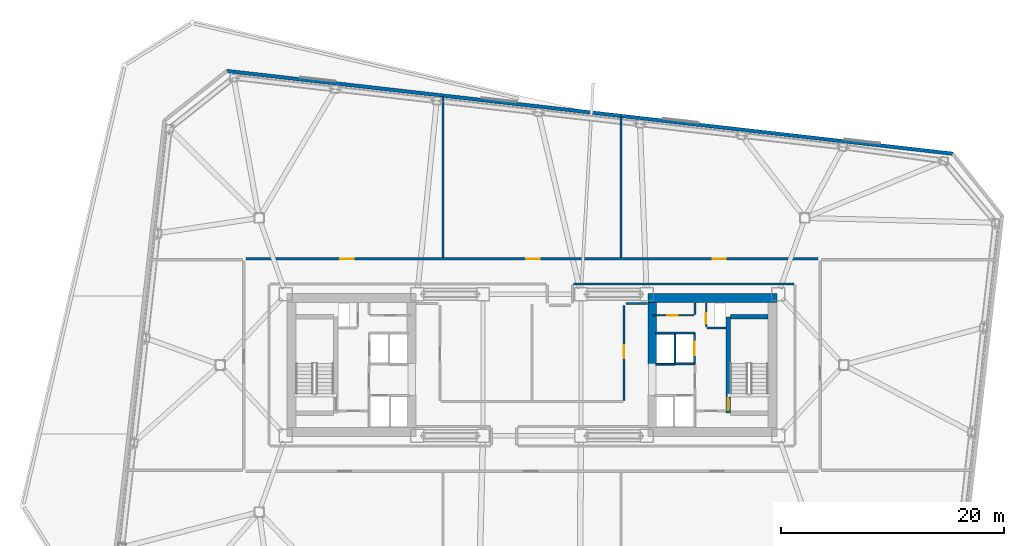
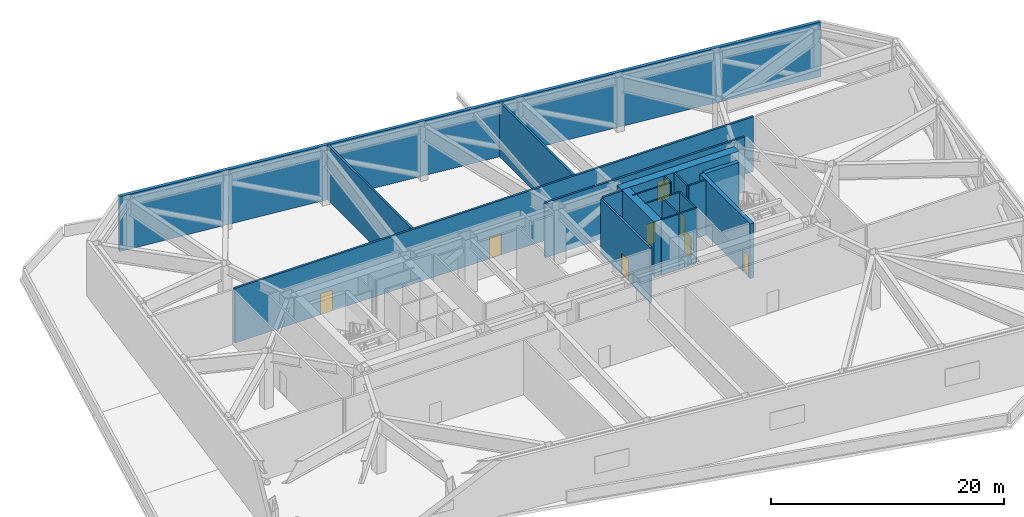
# One storey, part 6 of 14: 21 walls, 8 doors, 8 openings.
"""IFC4 building model written with IfcOpenShell, lengths in metres."""

from ifc_helpers import new_model, si_unit, direction, frame, frame_2d, origin, place, context, subcontext, project, spatial, rectangle, extrude, material, layer, layer_set, type_object, element, fill, save


model = new_model("IFC4")

# Units and contexts
model_context = context("Model", 3, precision=1e-05, world=origin(), true_north=direction((0.0, 1.0)))
body_context = subcontext(model_context, "Body", "Model", "MODEL_VIEW")
ifc_project = project(units=[si_unit("LENGTHUNIT", "METRE"), si_unit("AREAUNIT", "SQUARE_METRE"), si_unit("VOLUMEUNIT", "CUBIC_METRE"), si_unit("PLANEANGLEUNIT", "RADIAN"), si_unit("MASSUNIT", "GRAM", prefix="KILO")], contexts=[model_context])

# Site, building, storey
site_placement = place(None, origin())
site = spatial("IfcSite", under=ifc_project, at=site_placement, CompositionType="ELEMENT")
building_placement = place(site_placement, origin())
building = spatial("IfcBuilding", under=site, at=building_placement, Name="Tavrogorsk Clinical Tower", CompositionType="ELEMENT")
storey_placement = place(building_placement, frame((0.0, 0.0, 83.39990234375)))
storey = spatial("IfcBuildingStorey", under=building, at=storey_placement, Name="L18", CompositionType="ELEMENT", Elevation=83.39990234375)

# Wall, openings, doors
ifc_material_1 = material(Name="Concrete B60", Category="concrete")
ifc_layer_1 = layer(ifc_material_1, 0.199951171875)
ifc_layer_set_1 = layer_set([ifc_layer_1], Name="Concrete B60")
wall_type_1 = type_object("IfcWallType", Name="CoreFireWall_200", PredefinedType="SOLIDWALL", material=ifc_layer_set_1)
wall_1_placement = place(storey_placement, frame((-25.695068359375, 9.530029296875, 0.0), z_axis=(0.0, 0.0, 1.0), x_axis=(1.0, 0.0, 0.0)))
wall_1 = element("IfcWall", 1, at=wall_1_placement, inside=storey, type_object=wall_type_1, Name="L18 Refuge Corridor Fire Wall 02", PredefinedType="SOLIDWALL", context=body_context, shape_type="SweptSolid", body=[
    extrude(rectangle(XDim=51.39013671875, YDim=0.199951171875, at=frame_2d((25.695068359375, 0.0))), origin(), (0.0, 0.0, 1.0), 5.739990234375),
])
opening_1_placement = place(wall_1_placement, frame((25.199951171875, 0.0, 0.0)))
opening_1 = element("IfcOpeningElement", 2, at=opening_1_placement, cuts=wall_1, Name="Opening FD-01", PredefinedType="OPENING", context=body_context, shape_type="SweptSolid", body=[
    extrude(rectangle(XDim=1.199951171875, YDim=2.199951171875, at=frame_2d((0.60009765625, 1.10009765625))), frame((0.0, 0.10986328125, 0.0), z_axis=(0.0, -1.0, 0.0), x_axis=(1.0, 0.0, 0.0)), (0.0, 0.0, 1.0), 0.219970703125),
])
opening_2_placement = place(wall_1_placement, frame((8.494140625, 0.0, 0.0)))
opening_2 = element("IfcOpeningElement", 3, at=opening_2_placement, cuts=wall_1, Name="Opening FD-01", PredefinedType="OPENING", context=body_context, shape_type="SweptSolid", body=[
    extrude(rectangle(XDim=1.199951171875, YDim=2.199951171875, at=frame_2d((0.60009765625, 1.10009765625))), frame((0.0, 0.10986328125, 0.0), z_axis=(0.0, -1.0, 0.0), x_axis=(1.0, 0.0, 0.0)), (0.0, 0.0, 1.0), 0.219970703125),
])
opening_3_placement = place(wall_1_placement, frame((41.906005859375, 0.0, 0.0)))
opening_3 = element("IfcOpeningElement", 4, at=opening_3_placement, cuts=wall_1, Name="Opening FD-01", PredefinedType="OPENING", context=body_context, shape_type="SweptSolid", body=[
    extrude(rectangle(XDim=1.199951171875, YDim=2.199951171875, at=frame_2d((0.60009765625, 1.10009765625))), frame((0.0, 0.10986328125, 0.0), z_axis=(0.0, -1.0, 0.0), x_axis=(1.0, 0.0, 0.0)), (0.0, 0.0, 1.0), 0.219970703125),
])
ifc_material_2 = material(Name="Galvanised steel fire-rated door assembly", Category="steel")
door_type_1 = type_object("IfcDoorType", Name="FireDoor_FD01_1200", OperationType="NOTDEFINED", PredefinedType="DOOR", material=ifc_material_2)
door_1_placement = place(opening_1_placement, origin())
door_1 = element("IfcDoor", 5, at=door_1_placement, inside=storey, type_object=door_type_1, Name="L18 Assisted Bariatric Evacuation Refuge North Fire Door", OperationType="SINGLE_SWING_RIGHT", OverallHeight=2.199951171875, OverallWidth=1.199951171875, PredefinedType="DOOR", context=body_context, shape_type="SweptSolid", body=[
    extrude(rectangle(XDim=1.199951171875, YDim=2.199951171875, at=frame_2d((0.60009765625, 1.10009765625))), frame((0.0, 0.02490234375, 0.0), z_axis=(0.0, -1.0, 0.0), x_axis=(1.0, 0.0, 0.0)), (0.0, 0.0, 1.0), 0.050048828125),
])
fill(opening_1, door_1)
door_2_placement = place(opening_2_placement, origin())
door_2 = element("IfcDoor", 6, at=door_2_placement, inside=storey, type_object=door_type_1, Name="L18 HEPA Isolation AHU Plant West Fire Door", OperationType="SINGLE_SWING_LEFT", OverallHeight=2.199951171875, OverallWidth=1.199951171875, PredefinedType="DOOR", context=body_context, shape_type="SweptSolid", body=[
    extrude(rectangle(XDim=1.199951171875, YDim=2.199951171875, at=frame_2d((0.60009765625, 1.10009765625))), frame((0.0, 0.02490234375, 0.0), z_axis=(0.0, -1.0, 0.0), x_axis=(1.0, 0.0, 0.0)), (0.0, 0.0, 1.0), 0.050048828125),
])
fill(opening_2, door_2)
door_3_placement = place(opening_3_placement, origin())
door_3 = element("IfcDoor", 7, at=door_3_placement, inside=storey, type_object=door_type_1, Name="L18 HEPA Isolation AHU Plant East Fire Door", OperationType="SINGLE_SWING_RIGHT", OverallHeight=2.199951171875, OverallWidth=1.199951171875, PredefinedType="DOOR", context=body_context, shape_type="SweptSolid", body=[
    extrude(rectangle(XDim=1.199951171875, YDim=2.199951171875, at=frame_2d((0.60009765625, 1.10009765625))), frame((0.0, 0.02490234375, 0.0), z_axis=(0.0, -1.0, 0.0), x_axis=(1.0, 0.0, 0.0)), (0.0, 0.0, 1.0), 0.050048828125),
])
fill(opening_3, door_3)

# Wall, opening, door
wall_2_placement = place(storey_placement, frame((8.27001953125, -3.1650390625, 0.0), z_axis=(0.0, 0.0, 1.0), x_axis=(0.0, 1.0, 0.0)))
wall_2 = element("IfcWall", 8, at=wall_2_placement, inside=storey, type_object=wall_type_1, Name="L18 Refuge Corridor Fire Wall 10", PredefinedType="SOLIDWALL", context=body_context, shape_type="SweptSolid", body=[
    extrude(rectangle(XDim=8.510009765625, YDim=0.199951171875, at=frame_2d((4.2548828125, 0.0))), origin(), (0.0, 0.0, 1.0), 5.739990234375),
])
opening_4_placement = place(wall_2_placement, frame((3.760009765625, 0.0, 0.0)))
opening_4 = element("IfcOpeningElement", 9, at=opening_4_placement, cuts=wall_2, Name="Opening FD-01", PredefinedType="OPENING", context=body_context, shape_type="SweptSolid", body=[
    extrude(rectangle(XDim=1.199951171875, YDim=2.199951171875, at=frame_2d((0.60009765625, 1.10009765625))), frame((0.0, 0.10986328125, 0.0), z_axis=(0.0, -1.0, 0.0), x_axis=(1.0, 0.0, 0.0)), (0.0, 0.0, 1.0), 0.219970703125),
])
door_4_placement = place(opening_4_placement, origin())
door_4 = element("IfcDoor", 10, at=door_4_placement, inside=storey, type_object=door_type_1, Name="L18 Zone Domestic Water & Vacuum Booster Fire Door", OperationType="SINGLE_SWING_RIGHT", OverallHeight=2.199951171875, OverallWidth=1.199951171875, PredefinedType="DOOR", context=body_context, shape_type="SweptSolid", body=[
    extrude(rectangle(XDim=1.199951171875, YDim=2.199951171875, at=frame_2d((0.60009765625, 1.10009765625))), frame((0.0, 0.02490234375, 0.0), z_axis=(0.0, -1.0, 0.0), x_axis=(1.0, 0.0, 0.0)), (0.0, 0.0, 1.0), 0.050048828125),
])
fill(opening_4, door_4)

# Walls
wall_3_placement = place(storey_placement, frame((8.455078125, 5.530029296875, 0.0), z_axis=(0.0, 0.0, 1.0), x_axis=(1.0, 0.0, 0.0)))
element("IfcWall", 11, at=wall_3_placement, inside=storey, type_object=wall_type_1, Name="L18 Refuge Corridor Fire Wall 11", PredefinedType="SOLIDWALL", context=body_context, shape_type="SweptSolid", body=[
    extrude(rectangle(XDim=1.9248046875, YDim=0.199951171875, at=frame_2d((0.96240234375, 0.0))), origin(), (0.0, 0.0, 1.0), 5.739990234375),
])
wall_4_placement = place(storey_placement, frame((23.514892578125, 7.27001953125, 0.0), z_axis=(0.0, 0.0, 1.0), x_axis=(-1.0, 0.0, 0.0)))
element("IfcWall", 12, at=wall_4_placement, inside=storey, type_object=wall_type_1, Name="L18 Refuge Corridor Fire Wall 16", PredefinedType="SOLIDWALL", context=body_context, shape_type="SweptSolid", body=[
    extrude(rectangle(XDim=19.77978515625, YDim=0.199951171875, at=frame_2d((9.889892578125, 0.0))), origin(), (0.0, 0.0, 1.0), 5.739990234375),
])
wall_5_placement = place(storey_placement, frame((-8.0, 9.635009765625, 0.0), z_axis=(0.0, 0.0, 1.0), x_axis=(0.0, 1.0, 0.0)))
element("IfcWall", 13, at=wall_5_placement, inside=storey, type_object=wall_type_1, Name="L18 Refuge & Plant Fire Wall 7", PredefinedType="SOLIDWALL", context=body_context, shape_type="SweptSolid", body=[
    extrude(rectangle(XDim=14.489013671875, YDim=0.199951171875, at=frame_2d((7.24462890625, 0.0))), origin(), (0.0, 0.0, 1.0), 5.739990234375),
])
wall_6_placement = place(storey_placement, frame((8.0, 9.635009765625, 0.0), z_axis=(0.0, 0.0, 1.0), x_axis=(0.0, 1.0, 0.0)))
element("IfcWall", 14, at=wall_6_placement, inside=storey, type_object=wall_type_1, Name="L18 Refuge & Plant Fire Wall 8", PredefinedType="SOLIDWALL", context=body_context, shape_type="SweptSolid", body=[
    extrude(rectangle(XDim=12.666015625, YDim=0.199951171875, at=frame_2d((6.3330078125, 0.0))), origin(), (0.0, 0.0, 1.0), 5.739990234375),
])

# Wall, opening, door
ifc_material_3 = material(Name="Lightweight concrete blockwork B15", Category="masonry")
ifc_layer_2 = layer(ifc_material_3, 0.159912109375)
ifc_layer_set_2 = layer_set([ifc_layer_2], Name="Lightweight concrete blockwork B15")
wall_type_2 = type_object("IfcWallType", Name="PartitionWall_160", PredefinedType="PARTITIONING", material=ifc_layer_set_2)
wall_7_placement = place(storey_placement, frame((10.800048828125, 4.4599609375, 0.0), z_axis=(0.0, 0.0, 1.0), x_axis=(1.0, 0.0, 0.0)))
wall_7 = element("IfcWall", 15, at=wall_7_placement, inside=storey, type_object=wall_type_2, Name="L18 Core East Pneumatic Dispatch South Wall", PredefinedType="PARTITIONING", context=body_context, shape_type="SweptSolid", body=[
    extrude(rectangle(XDim=3.7548828125, YDim=0.159912109375, at=frame_2d((1.87744140625, 0.0))), origin(), (0.0, 0.0, 1.0), 5.739990234375),
])
opening_5_placement = place(wall_7_placement, frame((1.35009765625, 0.0, 0.0)))
opening_5 = element("IfcOpeningElement", 16, at=opening_5_placement, cuts=wall_7, Name="Opening ID-02", PredefinedType="OPENING", context=body_context, shape_type="SweptSolid", body=[
    extrude(rectangle(XDim=0.949951171875, YDim=2.199951171875, at=frame_2d((0.47509765625, 1.10009765625))), frame((0.0, 0.08984375, 0.0), z_axis=(0.0, -1.0, 0.0), x_axis=(1.0, 0.0, 0.0)), (0.0, 0.0, 1.0), 0.179931640625),
])
ifc_material_4 = material(Name="Laminated timber leaf on aluminium frame", Category="wood")
door_type_2 = type_object("IfcDoorType", Name="InteriorDoor_ID02_950", OperationType="NOTDEFINED", PredefinedType="DOOR", material=ifc_material_4)
door_5_placement = place(opening_5_placement, origin())
door_5 = element("IfcDoor", 17, at=door_5_placement, inside=storey, type_object=door_type_2, Name="L18 Core East Pneumatic Dispatch Door", OperationType="SINGLE_SWING_LEFT", OverallHeight=2.199951171875, OverallWidth=0.949951171875, PredefinedType="DOOR", context=body_context, shape_type="SweptSolid", body=[
    extrude(rectangle(XDim=0.949951171875, YDim=2.199951171875, at=frame_2d((0.47509765625, 1.10009765625))), frame((0.0, 0.02490234375, 0.0), z_axis=(0.0, -1.0, 0.0), x_axis=(1.0, 0.0, 0.0)), (0.0, 0.0, 1.0), 0.050048828125),
])
fill(opening_5, door_5)

# Walls
wall_8_placement = place(storey_placement, frame((14.639892578125, 4.544921875, 0.0), z_axis=(0.0, 0.0, 1.0), x_axis=(0.0, 1.0, 0.0)))
element("IfcWall", 18, at=wall_8_placement, inside=storey, type_object=wall_type_2, Name="L18 Core East Pneumatic Dispatch East Wall", PredefinedType="PARTITIONING", context=body_context, shape_type="SweptSolid", body=[
    extrude(rectangle(XDim=1.01513671875, YDim=0.159912109375, at=frame_2d((0.507568359375, 0.0))), origin(), (0.0, 0.0, 1.0), 5.739990234375),
])
ifc_material_5 = material(Name="Precast concrete B45 acoustic plenum wall", Category="concrete")
ifc_layer_3 = layer(ifc_material_5, 0.320068359375)
ifc_layer_set_3 = layer_set([ifc_layer_3], Name="Precast concrete B45 acoustic plenum wall")
wall_type_3 = type_object("IfcWallType", Name="PlantLouvreWall_320", PredefinedType="STANDARD", material=ifc_layer_set_3)
wall_9_placement = place(storey_placement, frame((37.778564453125, 18.968505859375, 0.0), z_axis=(0.0, 0.0, 1.0), x_axis=(-0.993571647752, 0.11320503868, 0.0)))
element("IfcWall", 19, at=wall_9_placement, inside=storey, type_object=wall_type_3, Name="L18 N Limestone Facade Wall 1", PredefinedType="STANDARD", context=body_context, shape_type="SweptSolid", body=[
    extrude(rectangle(XDim=65.60009765625, YDim=0.320068359375, at=frame_2d((32.800048828125, 0.0))), origin(), (0.0, 0.0, 1.0), 5.739990234375),
])

# Wall, opening, door
ifc_material_6 = material(Name="Lightweight concrete blockwork B25", Category="masonry")
ifc_layer_4 = layer(ifc_material_6, 0.159912109375)
ifc_layer_set_4 = layer_set([ifc_layer_4], Name="Lightweight concrete blockwork B25")
wall_type_4 = type_object("IfcWallType", Name="ShaftWall_160", PredefinedType="PARTITIONING", material=ifc_layer_set_4)
wall_10_placement = place(storey_placement, frame((14.60009765625, 0.1201171875, 0.0), z_axis=(0.0, 0.0, 1.0), x_axis=(0.0, 1.0, 0.0)))
wall_10 = element("IfcWall", 20, at=wall_10_placement, inside=storey, type_object=wall_type_4, Name="L18 FFL-E Firefighting Lift Front Wall", PredefinedType="PARTITIONING", context=body_context, shape_type="SweptSolid", body=[
    extrude(rectangle(XDim=2.739990234375, YDim=0.159912109375, at=frame_2d((1.3701171875, 0.0))), origin(), (0.0, 0.0, 1.0), 5.739990234375),
])
opening_6_placement = place(wall_10_placement, frame((0.77001953125, 0.0, 0.0)))
opening_6 = element("IfcOpeningElement", 21, at=opening_6_placement, cuts=wall_10, Name="Opening LD", PredefinedType="OPENING", context=body_context, shape_type="SweptSolid", body=[
    extrude(rectangle(XDim=1.199951171875, YDim=2.199951171875, at=frame_2d((0.60009765625, 1.10009765625))), frame((0.0, 0.08984375, 0.0), z_axis=(0.0, -1.0, 0.0), x_axis=(1.0, 0.0, 0.0)), (0.0, 0.0, 1.0), 0.179931640625),
])
ifc_material_7 = material(Name="Brushed stainless steel AISI 304 sliding doors", Category="steel")
door_type_3 = type_object("IfcDoorType", Name="LiftLandingDoor_LD_1200", OperationType="SLIDING_TO_LEFT", PredefinedType="DOOR", material=ifc_material_7)
door_6_placement = place(opening_6_placement, origin())
door_6 = element("IfcDoor", 22, at=door_6_placement, inside=storey, type_object=door_type_3, Name="L18 FFL-E Sliding Lift Landing Door", OperationType="SLIDING_TO_LEFT", OverallHeight=2.199951171875, OverallWidth=1.199951171875, PredefinedType="DOOR", context=body_context, shape_type="SweptSolid", body=[
    extrude(rectangle(XDim=1.199951171875, YDim=2.199951171875, at=frame_2d((0.60009765625, 1.10009765625))), frame((0.0, 0.02490234375, 0.0), z_axis=(0.0, -1.0, 0.0), x_axis=(1.0, 0.0, 0.0)), (0.0, 0.0, 1.0), 0.050048828125),
])
fill(opening_6, door_6)

# Walls
for number, where, z_axis, x_axis, name in (
    (23, (12.840087890625, 0.10009765625, 0.0), (0.0, 0.0, 1.0), (1.0, 0.0, 0.0), "L18 FFL-E Shaft South Wall"),
    (24, (12.840087890625, 2.8798828125, 0.0), (0.0, 0.0, 1.0), (1.0, 0.0, 0.0), "L18 FFL-E Shaft North Wall"),
):
    element("IfcWall", number, at=place(storey_placement, frame(where, z_axis=z_axis, x_axis=x_axis)), inside=storey, type_object=wall_type_4, Name=name, PredefinedType="PARTITIONING", context=body_context, shape_type="SweptSolid", body=[
        extrude(rectangle(XDim=1.760009765625, YDim=0.159912109375, at=frame_2d((0.8798828125, 0.0))), origin(), (0.0, 0.0, 1.0), 5.739990234375),
    ])
wall_11_placement = place(storey_placement, frame((12.840087890625, 0.179931640625, 0.0), z_axis=(0.0, 0.0, 1.0), x_axis=(0.0, 1.0, 0.0)))
element("IfcWall", 25, at=wall_11_placement, inside=storey, type_object=wall_type_4, Name="L18 FFL-E Shaft Back Wall", PredefinedType="PARTITIONING", context=body_context, shape_type="SweptSolid", body=[
    extrude(rectangle(XDim=2.6201171875, YDim=0.159912109375, at=frame_2d((1.31005859375, 0.0))), origin(), (0.0, 0.0, 1.0), 5.739990234375),
])
for number, where, z_axis, x_axis, name in (
    (26, (11.10009765625, 0.06005859375, 0.0), (0.0, 0.0, 1.0), (1.0, 0.0, 0.0), "L18 LP-H2 High-Zone Lift Portal Wall"),
    (27, (11.10009765625, 2.860107421875, 0.0), (0.0, 0.0, 1.0), (1.0, 0.0, 0.0), "L18 LP-H2 High-Zone Lift Rear Wall"),
):
    element("IfcWall", number, at=place(storey_placement, frame(where, z_axis=z_axis, x_axis=x_axis)), inside=storey, type_object=wall_type_4, Name=name, PredefinedType="PARTITIONING", context=body_context, shape_type="SweptSolid", body=[
        extrude(rectangle(XDim=1.719970703125, YDim=0.159912109375, at=frame_2d((0.85986328125, 0.0))), origin(), (0.0, 0.0, 1.0), 5.739990234375),
    ])

# Wall, opening, door
wall_12_placement = place(storey_placement, frame((15.639892578125, 3.405029296875, 0.0), z_axis=(0.0, 0.0, 1.0), x_axis=(0.0, 1.0, 0.0)))
wall_12 = element("IfcWall", 28, at=wall_12_placement, inside=storey, type_object=wall_type_4, Name="L18 Core East Riser West Wall", PredefinedType="PARTITIONING", context=body_context, shape_type="SweptSolid", body=[
    extrude(rectangle(XDim=2.155029296875, YDim=0.159912109375, at=frame_2d((1.07763671875, 0.0))), origin(), (0.0, 0.0, 1.0), 5.739990234375),
])
opening_7_placement = place(wall_12_placement, frame((0.35009765625, 0.0, 0.0)))
opening_7 = element("IfcOpeningElement", 29, at=opening_7_placement, cuts=wall_12, Name="Opening FD-02", PredefinedType="OPENING", context=body_context, shape_type="SweptSolid", body=[
    extrude(rectangle(XDim=0.89990234375, YDim=2.199951171875, at=frame_2d((0.449951171875, 1.10009765625))), frame((0.0, 0.08984375, 0.0), z_axis=(0.0, -1.0, 0.0), x_axis=(1.0, 0.0, 0.0)), (0.0, 0.0, 1.0), 0.179931640625),
])
ifc_material_8 = material(Name="Galvanised steel fire-rated door assembly", Category="steel")
door_type_4 = type_object("IfcDoorType", Name="FireDoor_FD02_900", OperationType="NOTDEFINED", PredefinedType="DOOR", material=ifc_material_8)
door_7_placement = place(opening_7_placement, origin())
door_7 = element("IfcDoor", 30, at=door_7_placement, inside=storey, type_object=door_type_4, Name="L18 Core East Electrical Riser Access Door", OperationType="SINGLE_SWING_LEFT", OverallHeight=2.199951171875, OverallWidth=0.89990234375, PredefinedType="DOOR", context=body_context, shape_type="SweptSolid", body=[
    extrude(rectangle(XDim=0.89990234375, YDim=2.199951171875, at=frame_2d((0.449951171875, 1.10009765625))), frame((0.0, 0.02490234375, 0.0), z_axis=(0.0, -1.0, 0.0), x_axis=(1.0, 0.0, 0.0)), (0.0, 0.0, 1.0), 0.050048828125),
])
fill(opening_7, door_7)

# Wall
wall_13_placement = place(storey_placement, frame((15.72509765625, 3.320068359375, 0.0), z_axis=(0.0, 0.0, 1.0), x_axis=(1.0, 0.0, 0.0)))
element("IfcWall", 31, at=wall_13_placement, inside=storey, type_object=wall_type_4, Name="L18 Core East Riser South Wall", PredefinedType="PARTITIONING", context=body_context, shape_type="SweptSolid", body=[
    extrude(rectangle(XDim=1.65478515625, YDim=0.159912109375, at=frame_2d((0.827392578125, 0.0))), origin(), (0.0, 0.0, 1.0), 5.739990234375),
])

# Wall, opening, door
ifc_material_9 = material(Name="Concrete B80", Category="concrete")
ifc_layer_5 = layer(ifc_material_9, 0.39990234375)
ifc_layer_set_5 = layer_set([ifc_layer_5], Name="Concrete B80")
wall_type_5 = type_object("IfcWallType", Name="ShearWall_400", PredefinedType="SHEAR", material=ifc_layer_set_5)
wall_14_placement = place(storey_placement, frame((17.60009765625, -4.324951171875, 0.0), z_axis=(0.0, 0.0, 1.0), x_axis=(0.0, 1.0, 0.0)))
wall_14 = element("IfcWall", 32, at=wall_14_placement, inside=storey, type_object=wall_type_5, Name="L18 Core East Stair Shaft Inner Shear Wall", PredefinedType="SHEAR", context=body_context, shape_type="SweptSolid", body=[
    extrude(rectangle(XDim=8.64990234375, YDim=0.39990234375, at=frame_2d((4.324951171875, 0.0))), origin(), (0.0, 0.0, 1.0), 5.739990234375),
])
opening_8_placement = place(wall_14_placement, frame((0.25, 0.0, 0.0)))
opening_8 = element("IfcOpeningElement", 33, at=opening_8_placement, cuts=wall_14, Name="Opening SD-01", PredefinedType="OPENING", context=body_context, shape_type="SweptSolid", body=[
    extrude(rectangle(XDim=1.10009765625, YDim=2.199951171875, at=frame_2d((0.550048828125, 1.10009765625))), frame((0.0, 0.2099609375, 0.0), z_axis=(0.0, -1.0, 0.0), x_axis=(1.0, 0.0, 0.0)), (0.0, 0.0, 1.0), 0.419921875),
])
ifc_material_10 = material(Name="Galvanised steel smoke-tight fire door assembly", Category="steel")
door_type_5 = type_object("IfcDoorType", Name="StairFireDoor_SD01_1100", OperationType="NOTDEFINED", PredefinedType="DOOR", material=ifc_material_10)
door_8_placement = place(opening_8_placement, origin())
door_8 = element("IfcDoor", 34, at=door_8_placement, inside=storey, type_object=door_type_5, Name="L18 ST-E Exit Stair Door", OperationType="SINGLE_SWING_RIGHT", OverallHeight=2.199951171875, OverallWidth=1.10009765625, PredefinedType="DOOR", context=body_context, shape_type="SweptSolid", body=[
    extrude(rectangle(XDim=1.10009765625, YDim=2.199951171875, at=frame_2d((0.550048828125, 1.10009765625))), frame((0.0, 0.02490234375, 0.0), z_axis=(0.0, -1.0, 0.0), x_axis=(1.0, 0.0, 0.0)), (0.0, 0.0, 1.0), 0.050048828125),
])
fill(opening_8, door_8)

# Walls
wall_15_placement = place(storey_placement, frame((17.800048828125, 4.324951171875, 0.0), z_axis=(0.0, 0.0, 1.0), x_axis=(1.0, 0.0, 0.0)))
element("IfcWall", 35, at=wall_15_placement, inside=storey, type_object=wall_type_5, Name="L18 Core East Stair Shaft North Shear Wall", PredefinedType="SHEAR", context=body_context, shape_type="SweptSolid", body=[
    extrude(rectangle(XDim=3.39990234375, YDim=0.39990234375, at=frame_2d((1.699951171875, 0.0))), origin(), (0.0, 0.0, 1.0), 5.739990234375),
])
ifc_material_11 = material(Name="Concrete B80", Category="concrete")
ifc_layer_6 = layer(ifc_material_11, 0.800048828125)
ifc_layer_set_6 = layer_set([ifc_layer_6], Name="Concrete B80")
wall_type_6 = type_object("IfcWallType", Name="ShearWall_800", PredefinedType="SHEAR", material=ifc_layer_set_6)
wall_16_placement = place(storey_placement, frame((10.39990234375, 6.0, 0.0), z_axis=(0.0, 0.0, 1.0), x_axis=(1.0, 0.0, 0.0)))
element("IfcWall", 36, at=wall_16_placement, inside=storey, type_object=wall_type_6, Name="L18 Core East North Shear Wall", PredefinedType="SHEAR", context=body_context, shape_type="SweptSolid", body=[
    extrude(rectangle(XDim=11.60009765625, YDim=0.800048828125, at=frame_2d((5.800048828125, 0.0))), origin(), (0.0, 0.0, 1.0), 5.739990234375),
])
wall_17_placement = place(storey_placement, frame((10.800048828125, 0.050048828125, 0.0), z_axis=(0.0, 0.0, 1.0), x_axis=(0.0, 1.0, 0.0)))
element("IfcWall", 37, at=wall_17_placement, inside=storey, type_object=wall_type_6, Name="L18 Core East Inner North Pier", PredefinedType="SHEAR", context=body_context, shape_type="SweptSolid", body=[
    extrude(rectangle(XDim=5.550048828125, YDim=0.800048828125, at=frame_2d((2.77490234375, 0.0))), origin(), (0.0, 0.0, 1.0), 5.739990234375),
])

save(model, "model.ifc")
